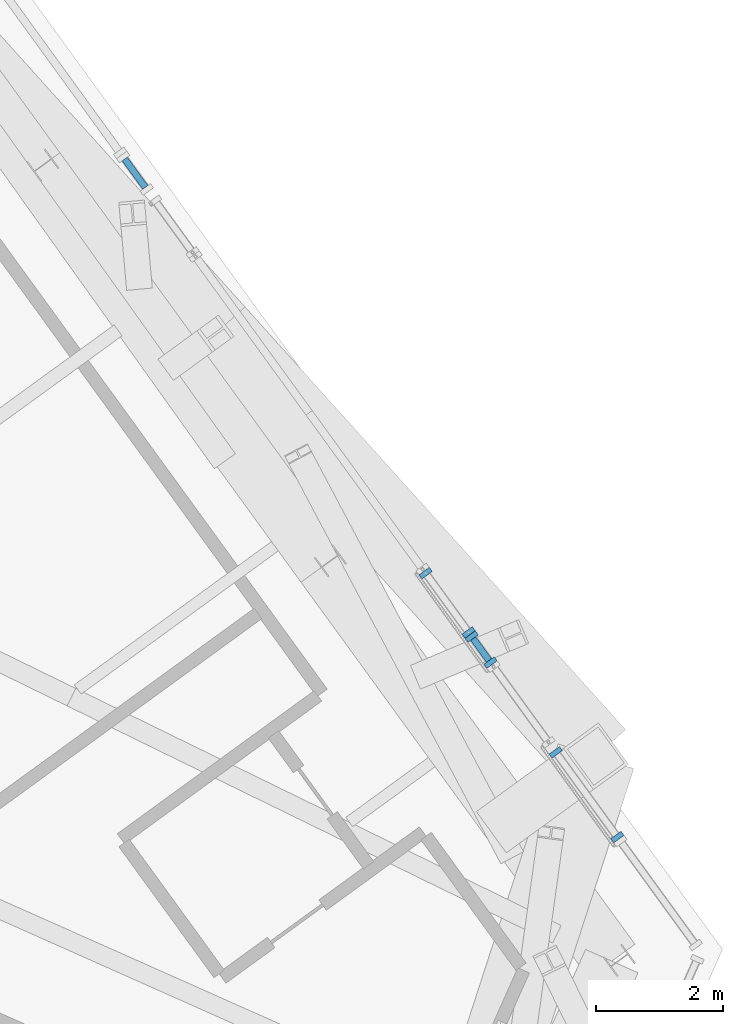
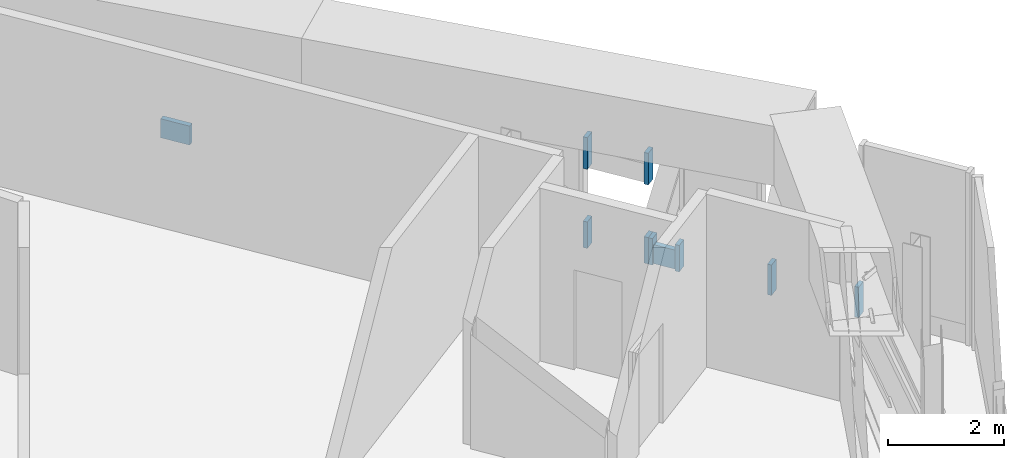
# One storey, part 9 of 23: 10 members, 5 elements without a shape of their own.
"""IFC4 building model written with IfcOpenShell, lengths in metres."""

from ifc_helpers import new_model, si_unit, direction, frame, origin, origin_2d, place, context, subcontext, project, spatial, rectangle, extrude, source, transform, mapped, material, material_profile, profile_set, type_object, element, aggregate, save


model = new_model("IFC4")

# Units and contexts
model_context = context("Model", 3, precision=1e-05, world=origin(), true_north=direction((0.0, 1.0)))
body_context = subcontext(model_context, "Body", "Model", "MODEL_VIEW")
ifc_project = project(units=[si_unit("LENGTHUNIT", "METRE"), si_unit("AREAUNIT", "SQUARE_METRE"), si_unit("VOLUMEUNIT", "CUBIC_METRE"), si_unit("PLANEANGLEUNIT", "RADIAN"), si_unit("MASSUNIT", "GRAM", prefix="KILO")], contexts=[model_context])

# Site, building, storey
site_placement = place(None, origin())
site = spatial("IfcSite", under=ifc_project, at=site_placement, CompositionType="ELEMENT")
building_placement = place(site_placement, origin())
building = spatial("IfcBuilding", under=site, at=building_placement, Name="Triune Harvest Tower", CompositionType="ELEMENT")
storey_placement = place(building_placement, frame((0.0, 0.0, 255.699951171875)))
storey = spatial("IfcBuildingStorey", under=building, at=storey_placement, Name="L67", CompositionType="ELEMENT", Elevation=255.699951171875)

# Curtain wall, member
ifc_material_1 = material(Name="Aluminium bronze anodised", Category="aluminium")
curtain_wall_type = type_object("IfcCurtainWallType", Name="CW-5 Plant louvre wall", PredefinedType="NOTDEFINED", material=ifc_material_1)
curtain_wall_1_placement = place(storey_placement, origin())
curtain_wall_1 = element("IfcCurtainWall", 1, at=curtain_wall_1_placement, inside=storey, type_object=curtain_wall_type, Name="CW-5 B6-F1 L67 run 801")
ifc_material_2 = material(Name="Aluminium bronze anodised", Category="aluminium")
ifc_material_profile_1 = material_profile(ifc_material_2, rectangle(XDim=0.10009765625, YDim=0.39990234375, at=origin_2d()), Name="TR-5 transom 100 x 400")
ifc_profile_set_1 = profile_set([ifc_material_profile_1], Name="Aluminium bronze anodised")
member_type_1 = type_object("IfcMemberType", Name="TR-5 transom 100 x 400", PredefinedType="USERDEFINED", material=ifc_profile_set_1)
member_1_placement = place(storey_placement, frame((21.419189453125, 4.55126953125, 0.199951171875), z_axis=(-0.587881903675, 0.808946764213, 0.0), x_axis=(-0.808946764213, -0.587881903675, 0.0)))
member_1 = element("IfcMember", 2, at=member_1_placement, type_object=member_type_1, Name="CW-5 transom B6-F1 801.1", ObjectType="TRANSOM", PredefinedType="USERDEFINED", context=body_context, shape_type="SweptSolid", body=[
    extrude(rectangle(XDim=0.10009765625, YDim=0.39990234375, at=origin_2d()), origin(), (0.0, 0.0, 1.0), 0.551025390625),
])
aggregate(curtain_wall_1, [member_1])

# Curtain wall, members
curtain_wall_2_placement = place(storey_placement, origin())
curtain_wall_2 = element("IfcCurtainWall", 3, at=curtain_wall_2_placement, inside=storey, type_object=curtain_wall_type, Name="CW-5 B6-F1 L67 run 101")
ifc_material_3 = material(Name="Aluminium bronze anodised", Category="aluminium")
ifc_material_profile_2 = material_profile(ifc_material_3, rectangle(XDim=0.199951171875, YDim=0.080078125, at=origin_2d()), Name="MU-5 mullion 80 x 200")
ifc_profile_set_2 = profile_set([ifc_material_profile_2], Name="Aluminium bronze anodised")
member_type_2 = type_object("IfcMemberType", Name="MU-5 mullion 80 x 200", PredefinedType="MULLION", material=ifc_profile_set_2)
shared_shape_1 = source(origin(), body_context, "Body", "SweptSolid", [
    extrude(rectangle(XDim=0.199951171875, YDim=0.080078125, at=origin_2d()), origin(), (0.0, 0.0, 1.0), 0.640625),
])
member_2_placement = place(storey_placement, frame((28.8291015625, -5.647705078125, 0.0), z_axis=(0.0, 0.0, 1.0), x_axis=(-0.809006940131, -0.587799090523, 0.0)))
member_2 = element("IfcMember", 4, at=member_2_placement, type_object=member_type_2, Name="CW-5 mullion B6-F1 101.1", PredefinedType="MULLION", context=body_context, shape_type="MappedRepresentation", body=[
    mapped(shared_shape_1, transform((0.0, 0.0, 0.0), scale=1.0)),
])
member_3_placement = place(storey_placement, frame((27.86279296875, -4.31787109375, 0.0), z_axis=(0.0, 0.0, 1.0), x_axis=(-0.809006940131, -0.587799090523, 0.0)))
member_3 = element("IfcMember", 5, at=member_3_placement, type_object=member_type_2, Name="CW-5 mullion B6-F1 101.2", PredefinedType="MULLION", context=body_context, shape_type="MappedRepresentation", body=[
    mapped(shared_shape_1, transform((0.0, 0.0, 0.0), scale=1.0)),
])
aggregate(curtain_wall_2, [member_2, member_3])

curtain_wall_3_placement = place(storey_placement, origin())
curtain_wall_3 = element("IfcCurtainWall", 6, at=curtain_wall_3_placement, inside=storey, type_object=curtain_wall_type, Name="CW-5 B6-F1 L67 run 301")
shared_shape_2 = source(origin(), body_context, "Body", "SweptSolid", [
    extrude(rectangle(XDim=0.199951171875, YDim=0.080078125, at=origin_2d()), origin(), (0.0, 0.0, 1.0), 0.557373046875),
])
member_4_placement = place(storey_placement, frame((26.83837890625, -2.907958984375, 0.0), z_axis=(0.0, 0.0, 1.0), x_axis=(-0.809046824739, -0.587744192127, 0.0)))
member_4 = element("IfcMember", 7, at=member_4_placement, type_object=member_type_2, Name="CW-5 mullion B6-F1 301.1", PredefinedType="MULLION", context=body_context, shape_type="MappedRepresentation", body=[
    mapped(shared_shape_2, transform((0.0, 0.0, 0.0), scale=1.0)),
])
member_5_placement = place(storey_placement, frame((26.5419921875, -2.499755859375, 0.0), z_axis=(0.0, 0.0, 1.0), x_axis=(-0.809046824739, -0.587744192127, 0.0)))
member_5 = element("IfcMember", 8, at=member_5_placement, type_object=member_type_2, Name="CW-5 mullion B6-F1 301.2", PredefinedType="MULLION", context=body_context, shape_type="MappedRepresentation", body=[
    mapped(shared_shape_2, transform((0.0, 0.0, 0.0), scale=1.0)),
])

curtain_wall_4_placement = place(storey_placement, origin())
curtain_wall_4 = element("IfcCurtainWall", 9, at=curtain_wall_4_placement, inside=storey, type_object=curtain_wall_type, Name="CW-5 B6-F1 L67 run 401")
member_6_placement = place(storey_placement, frame((26.494873046875, -2.43505859375, 0.0), z_axis=(0.0, 0.0, 1.0), x_axis=(-0.808992695714, -0.587818695077, 0.0)))
member_6 = element("IfcMember", 10, at=member_6_placement, type_object=member_type_2, Name="CW-5 mullion B6-F1 401.1", PredefinedType="MULLION", context=body_context, shape_type="MappedRepresentation", body=[
    mapped(shared_shape_2, transform((0.0, 0.0, 0.0), scale=1.0)),
])
member_7_placement = place(storey_placement, frame((25.819091796875, -1.5048828125, 0.0), z_axis=(0.0, 0.0, 1.0), x_axis=(-0.808992695714, -0.587818695077, 0.0)))
member_7 = element("IfcMember", 11, at=member_7_placement, type_object=member_type_2, Name="CW-5 mullion B6-F1 401.2", PredefinedType="MULLION", context=body_context, shape_type="MappedRepresentation", body=[
    mapped(shared_shape_2, transform((0.0, 0.0, 0.0), scale=1.0)),
])
aggregate(curtain_wall_4, [member_6, member_7])

# Member
shared_shape_3 = source(origin(), body_context, "Body", "SweptSolid", [
    extrude(rectangle(XDim=0.10009765625, YDim=0.39990234375, at=origin_2d()), origin(), (0.0, 0.0, 1.0), 0.42431640625),
])
member_8_placement = place(storey_placement, frame((26.81494140625, -2.87548828125, 0.199951171875), z_axis=(-0.587966433139, 0.808885327782, 0.0), x_axis=(-0.808885327782, -0.587966433139, 0.0)))
member_8 = element("IfcMember", 12, at=member_8_placement, type_object=member_type_1, Name="CW-5 transom B6-F1 301.1", ObjectType="TRANSOM", PredefinedType="USERDEFINED", context=body_context, shape_type="MappedRepresentation", body=[
    mapped(shared_shape_3, transform((0.0, 0.0, 0.0), scale=1.0)),
])

aggregate(curtain_wall_3, [member_4, member_5, member_8])

# Curtain wall, members
curtain_wall_5_placement = place(storey_placement, origin())
curtain_wall_5 = element("IfcCurtainWall", 13, at=curtain_wall_5_placement, inside=storey, type_object=curtain_wall_type, Name="CW-5 B6-F1 L67 run 501")
shared_shape_4 = source(origin(), body_context, "Body", "SweptSolid", [
    extrude(rectangle(XDim=0.199951171875, YDim=0.080078125, at=origin_2d()), origin(), (0.0, 0.0, 1.0), 0.666015625),
])
member_9_placement = place(storey_placement, frame((26.494873046875, -2.43505859375, 1.6640625), z_axis=(0.0, 0.0, 1.0), x_axis=(-0.808992695714, -0.587818695077, 0.0)))
member_9 = element("IfcMember", 14, at=member_9_placement, type_object=member_type_2, Name="CW-5 mullion B6-F1 501.1", PredefinedType="MULLION", context=body_context, shape_type="MappedRepresentation", body=[
    mapped(shared_shape_4, transform((0.0, 0.0, 0.0), scale=1.0)),
])
member_10_placement = place(storey_placement, frame((25.819091796875, -1.5048828125, 1.6640625), z_axis=(0.0, 0.0, 1.0), x_axis=(-0.808992695714, -0.587818695077, 0.0)))
member_10 = element("IfcMember", 15, at=member_10_placement, type_object=member_type_2, Name="CW-5 mullion B6-F1 501.2", PredefinedType="MULLION", context=body_context, shape_type="MappedRepresentation", body=[
    mapped(shared_shape_4, transform((0.0, 0.0, 0.0), scale=1.0)),
])
aggregate(curtain_wall_5, [member_9, member_10])

save(model, "model.ifc")
